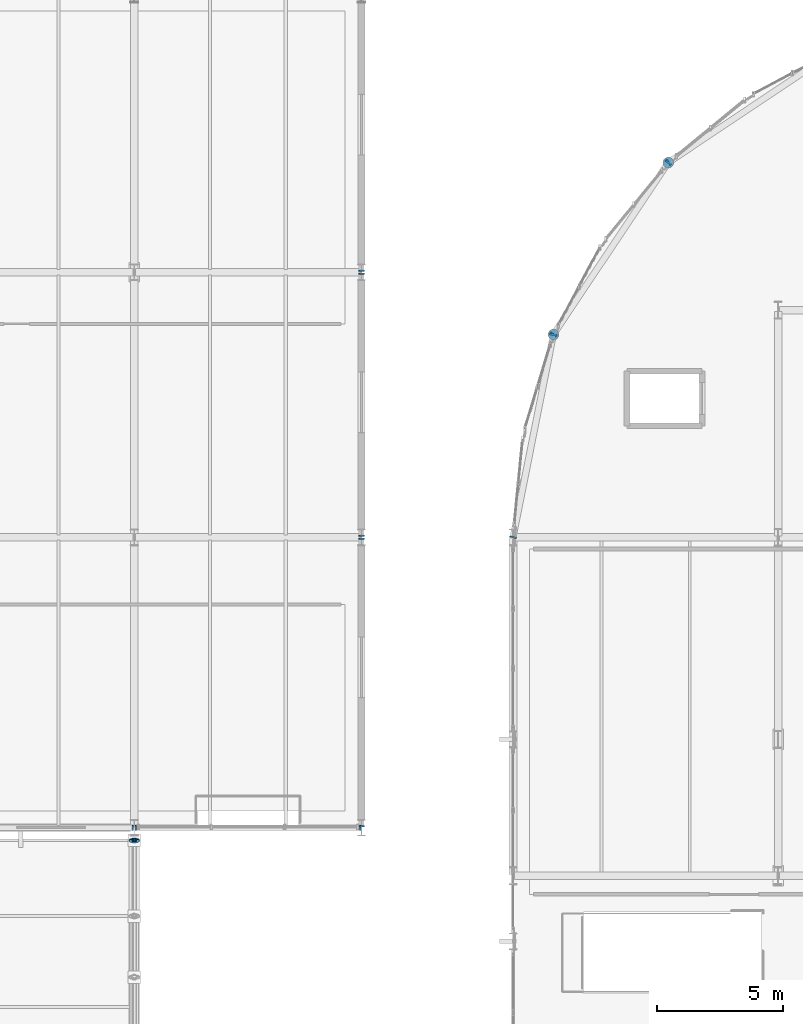
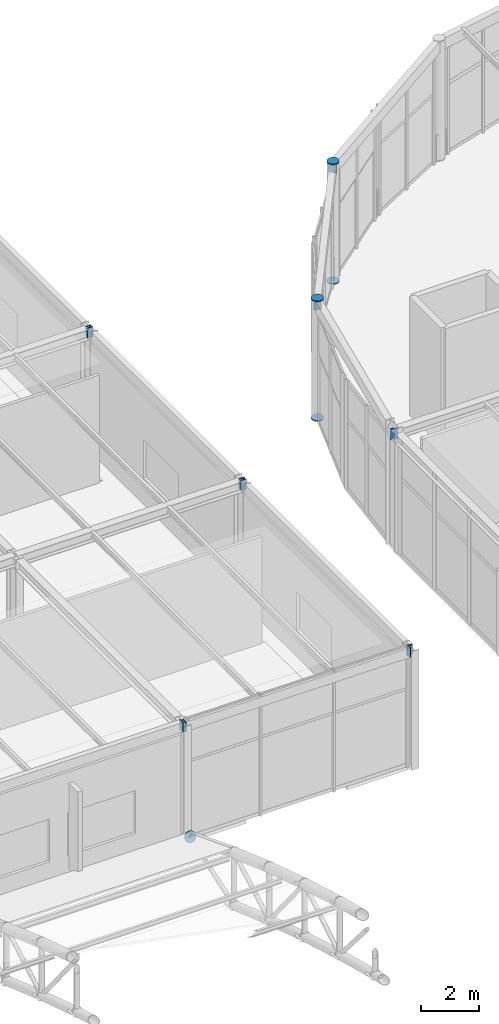
# One storey, part 141 of 195: 19 discrete accessories.
"""IFC4 building model written with IfcOpenShell, lengths in metres."""

from ifc_helpers import new_model, si_unit, direction, frame, origin, origin_2d, place, context, subcontext, project, spatial, rectangle, circle, extrude, material, element, save


model = new_model("IFC4")

# Units and contexts
model_context = context("Model", 3, precision=1e-05, world=origin(), true_north=direction((0.0, 1.0)))
body_context = subcontext(model_context, "Body", "Model", "MODEL_VIEW")
ifc_project = project(units=[si_unit("LENGTHUNIT", "METRE"), si_unit("AREAUNIT", "SQUARE_METRE"), si_unit("VOLUMEUNIT", "CUBIC_METRE"), si_unit("PLANEANGLEUNIT", "RADIAN"), si_unit("MASSUNIT", "GRAM", prefix="KILO")], contexts=[model_context])

# Site, building, storey
site_placement = place(None, origin())
site = spatial("IfcSite", under=ifc_project, at=site_placement, CompositionType="ELEMENT")
building_placement = place(site_placement, origin())
building = spatial("IfcBuilding", under=site, at=building_placement, Name="Marlcrest Central Station", CompositionType="ELEMENT")
storey_placement = place(building_placement, frame((0.0, 0.0, 9.800048828125)))
storey = spatial("IfcBuildingStorey", under=building, at=storey_placement, Name="L02", CompositionType="ELEMENT", Elevation=9.800048828125)

# Discrete accessories
ifc_material = material(Name="Steel S355", Category="steel")
for number, where, z_axis, x_axis, name in (
    (1, (71.925048828125, 99.0, 4.800048828125), (1.0, 0.0, 0.0), (0.0, 1.0, 0.0), "endcap-bm-SP-01-L02-00355-e"),
    (2, (72.03515625, 99.0, 4.77490234375), (1.0, 0.0, 0.0), (0.0, 1.0, 0.0), "endcap-bm-SP-01-L02-00356-s"),
    (3, (80.925048828125, 99.0, 4.77490234375), (1.0, 0.0, 0.0), (0.0, 1.0, 0.0), "endcap-bm-SP-01-L02-00356-e"),
    (4, (81.0, 99.03515625, 4.77490234375), (0.0, 1.0, 0.0), (-1.0, 0.0, 0.0), "endcap-bm-SP-01-L02-00411-s"),
    (5, (81.0, 110.425048828125, 4.77490234375), (0.0, 1.0, 0.0), (-1.0, 0.0, 0.0), "endcap-bm-SP-01-L02-00411-e"),
    (6, (81.0, 110.53515625, 4.77490234375), (0.0, 1.0, 0.0), (-1.0, 0.0, 0.0), "endcap-bm-SP-01-L02-00412-s"),
    (7, (81.0, 120.925048828125, 4.77490234375), (0.0, 1.0, 0.0), (-1.0, 0.0, 0.0), "endcap-bm-SP-01-L02-00412-e"),
    (8, (81.0, 121.03515625, 4.77490234375), (0.0, 1.0, 0.0), (-1.0, 0.0, 0.0), "endcap-bm-SP-01-L02-00413-s"),
):
    element("IfcDiscreteAccessory", number, at=place(storey_placement, frame(where, z_axis=z_axis, x_axis=x_axis)), inside=storey, material=ifc_material, Name=name, ObjectType="END_CAP_PLATE", PredefinedType="BRACKET", context=body_context, shape_type="SweptSolid", body=[
        extrude(rectangle(XDim=0.216064453125, YDim=0.416015625, at=origin_2d()), origin(), (0.0, 0.0, 1.0), 0.0400390625),
    ])
discrete_accessory_1_placement = place(storey_placement, frame((72.0, 98.4765625, 0.454833984375), z_axis=(0.0, 0.933324071143, -0.359035065453), x_axis=(-1.0, 0.0, 0.0)))
element("IfcDiscreteAccessory", 9, at=discrete_accessory_1_placement, inside=storey, material=ifc_material, Name="endcap-mem-AC-01-L02-01087-e", ObjectType="END_CAP_PLATE", PredefinedType="BRACKET", context=body_context, shape_type="SweptSolid", body=[
    extrude(circle(Radius=0.211181640625, at=origin_2d()), origin(), (0.0, 0.0, 1.0), 0.0400390625),
])
discrete_accessory_2_placement = place(storey_placement, frame((72.0, 98.476318359375, 0.4375), z_axis=(0.0, 0.944260188635, 0.329200085296), x_axis=(-1.0, 0.0, 0.0)))
element("IfcDiscreteAccessory", 10, at=discrete_accessory_2_placement, inside=storey, material=ifc_material, Name="endcap-mem-AD-01-L02-01089-e", ObjectType="END_CAP_PLATE", PredefinedType="BRACKET", context=body_context, shape_type="SweptSolid", body=[
    extrude(circle(Radius=0.092041015625, at=origin_2d()), origin(), (0.0, 0.0, 1.0), 0.0400390625),
])
for number, where, z_axis, x_axis, name in (
    (11, (88.59912109375, 118.535888671875, -0.014892578125), (0.0, 0.0, 1.0), (1.0, 0.0, 0.0), "endcap-col-SC-10-L02-0845-s"),
    (12, (88.59912109375, 118.535888671875, 4.985107421875), (0.0, 0.0, 1.0), (1.0, 0.0, 0.0), "endcap-col-SC-10-L02-0845-e"),
    (13, (93.15087890625, 125.34912109375, -0.014892578125), (0.0, 0.0, 1.0), (1.0, 0.0, 0.0), "endcap-col-SC-10-L02-0849-s"),
    (14, (93.15087890625, 125.34912109375, 4.985107421875), (0.0, 0.0, 1.0), (1.0, 0.0, 0.0), "endcap-col-SC-10-L02-0849-e"),
):
    element("IfcDiscreteAccessory", number, at=place(storey_placement, frame(where, z_axis=z_axis, x_axis=x_axis)), inside=storey, material=ifc_material, Name=name, ObjectType="END_CAP_PLATE", PredefinedType="BRACKET", context=body_context, shape_type="SweptSolid", body=[
        extrude(circle(Radius=0.211181640625, at=origin_2d()), origin(), (0.0, 0.0, 1.0), 0.0400390625),
    ])
for number, where, z_axis, x_axis, name in (
    (15, (86.9970703125, 110.4853515625, 4.77001953125), (0.19517056122, 0.980769316421, 0.0), (-0.980769316421, 0.19517056122, 0.0), "endcap-bm-SP-02-L02-01477-s"),
    (16, (88.59423828125, 118.511474609375, 4.77001953125), (0.19517056122, 0.980769316421, 0.0), (-0.980769316421, 0.19517056122, 0.0), "endcap-bm-SP-02-L02-01477-e"),
    (17, (88.5908203125, 118.5234375, 4.77001953125), (0.55551129271, 0.831508991937, 0.0), (-0.831508991937, 0.55551129271, 0.0), "endcap-bm-SP-02-L02-01478-s"),
    (18, (93.136962890625, 125.328369140625, 4.77001953125), (0.55551129271, 0.831508991937, 0.0), (-0.831508991937, 0.55551129271, 0.0), "endcap-bm-SP-02-L02-01478-e"),
    (19, (93.138427734375, 125.3408203125, 4.77001953125), (0.831508991937, 0.55551129271, 0.0), (-0.55551129271, 0.831508991937, 0.0), "endcap-bm-SP-02-L02-01479-s"),
):
    element("IfcDiscreteAccessory", number, at=place(storey_placement, frame(where, z_axis=z_axis, x_axis=x_axis)), inside=storey, material=ifc_material, Name=name, ObjectType="END_CAP_PLATE", PredefinedType="BRACKET", context=body_context, shape_type="SweptSolid", body=[
        extrude(rectangle(XDim=0.26611328125, YDim=0.466064453125, at=origin_2d()), origin(), (0.0, 0.0, 1.0), 0.0400390625),
    ])

save(model, "model.ifc")
